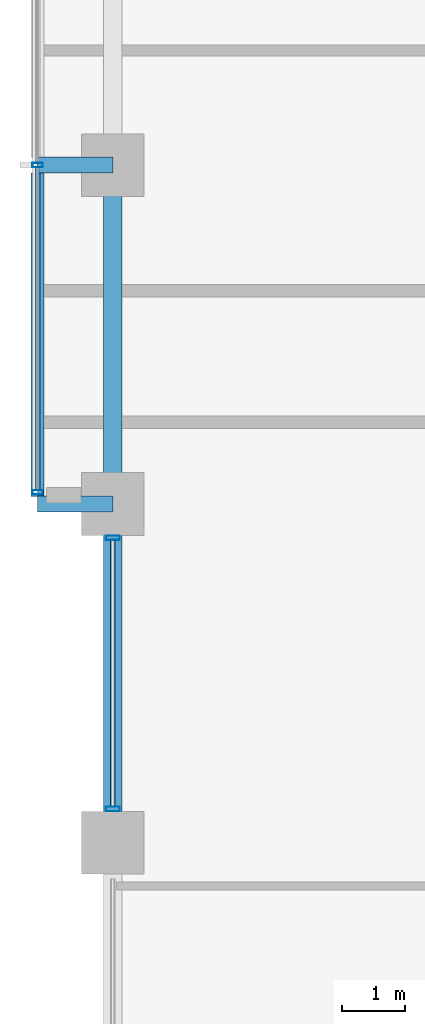
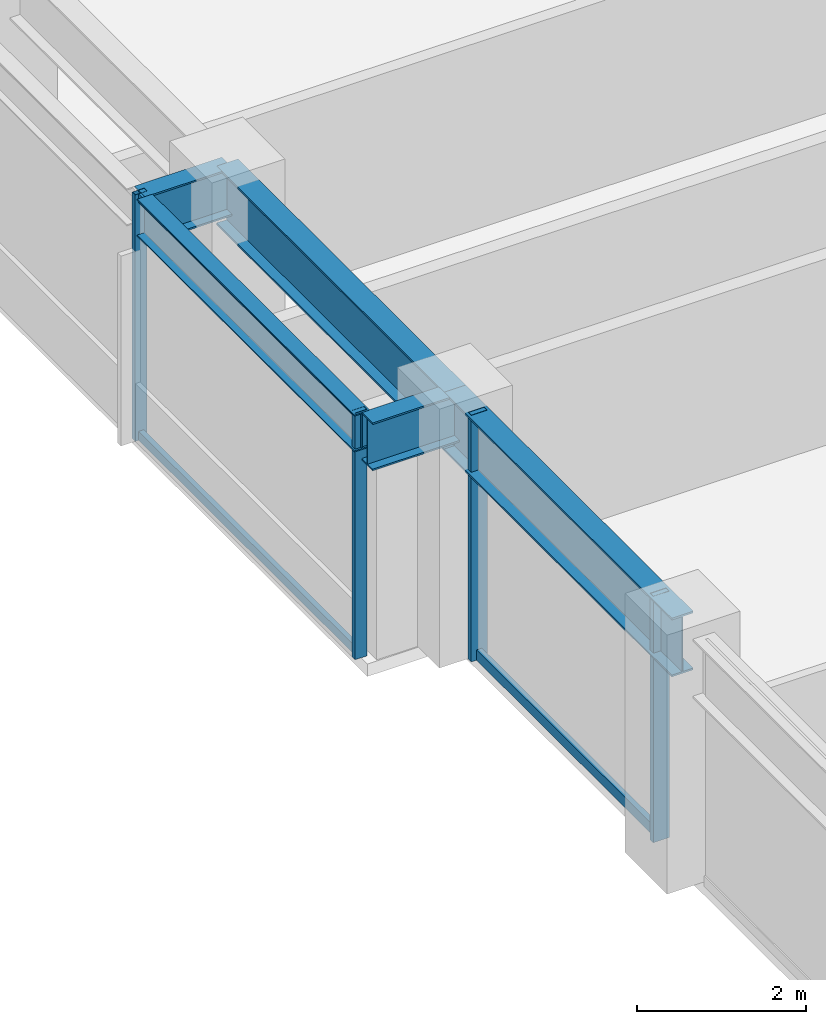
# One storey, part 6 of 26: 7 members, 5 beams, 2 elements without a shape of their own.
"""IFC4 building model written with IfcOpenShell, lengths in metres."""

from ifc_helpers import new_model, si_unit, direction, frame, origin, origin_2d, place, context, subcontext, project, spatial, hollow_rectangle, i_section, extrude, material, layer, layer_set, material_profile, profile_set, type_object, element, aggregate, save


model = new_model("IFC4")

# Units and contexts
model_context = context("Model", 3, precision=1e-05, world=origin(), true_north=direction((0.0, 1.0)))
body_context = subcontext(model_context, "Body", "Model", "MODEL_VIEW")
ifc_project = project(units=[si_unit("LENGTHUNIT", "METRE"), si_unit("AREAUNIT", "SQUARE_METRE"), si_unit("VOLUMEUNIT", "CUBIC_METRE"), si_unit("PLANEANGLEUNIT", "RADIAN"), si_unit("MASSUNIT", "GRAM", prefix="KILO")], contexts=[model_context])

# Site, building, storey
site_placement = place(None, origin())
site = spatial("IfcSite", under=ifc_project, at=site_placement, CompositionType="ELEMENT")
building_placement = place(site_placement, origin())
building = spatial("IfcBuilding", under=site, at=building_placement, Name="Surkhivell Harbour Commons", CompositionType="ELEMENT")
storey_placement = place(building_placement, frame((0.0, 0.0, 143.25)))
storey = spatial("IfcBuildingStorey", under=building, at=storey_placement, Name="L37", CompositionType="ELEMENT", Elevation=143.25)

# Beams
ifc_material_1 = material(Name="Steel S460", Category="steel")
ifc_material_profile_1 = material_profile(ifc_material_1, i_section(OverallWidth=0.256103515625, OverallDepth=0.693115234375, WebThickness=0.014404296875, FlangeThickness=0.023681640625, at=origin_2d()), Name="UB686x254x170")
ifc_profile_set_1 = profile_set([ifc_material_profile_1], Name="Steel S460")
beam_type_1 = type_object("IfcBeamType", Name="BM-CNT-686", PredefinedType="BEAM", material=ifc_profile_set_1)
for number, where, z_axis, x_axis, name in (
    (1, (-32.39990234375, 0.0, 3.223388671875), (-1.0, 0.0, 0.0), (0.0, -1.0, 0.0), "L37 Box Cantilever Outrigger (-32.4,0.0)"),
    (2, (-32.39990234375, 5.39990234375, 3.223388671875), (-1.0, 0.0, 0.0), (0.0, -1.0, 0.0), "L37 Box Cantilever Outrigger (-32.4,5.4)"),
):
    element("IfcBeam", number, at=place(storey_placement, frame(where, z_axis=z_axis, x_axis=x_axis)), inside=storey, type_object=beam_type_1, Name=name, PredefinedType="BEAM", context=body_context, shape_type="SweptSolid", body=[
        extrude(i_section(OverallWidth=0.256103515625, OverallDepth=0.693115234375, WebThickness=0.014404296875, FlangeThickness=0.023681640625, at=origin_2d()), origin(), (0.0, 0.0, 1.0), 1.2001953125),
    ])
ifc_material_2 = material(Name="Steel S355", Category="steel")
ifc_material_profile_2 = material_profile(ifc_material_2, i_section(OverallWidth=0.2099609375, OverallDepth=0.537109375, WebThickness=0.0107421875, FlangeThickness=0.017333984375, at=origin_2d()), Name="UB533x210x101")
ifc_profile_set_2 = profile_set([ifc_material_profile_2], Name="Steel S355")
beam_type_2 = type_object("IfcBeamType", Name="BM-GRD-533B", PredefinedType="BEAM", material=ifc_profile_set_2)
beam_placement = place(storey_placement, frame((-33.60009765625, 0.1220703125, 3.301513671875), z_axis=(0.0, 1.0, 0.0), x_axis=(-1.0, 0.0, 0.0)))
element("IfcBeam", 3, at=beam_placement, inside=storey, type_object=beam_type_2, Name="L37 Box Rim Spandrel (-33.6,0.0)", PredefinedType="BEAM", context=body_context, shape_type="SweptSolid", body=[
    extrude(i_section(OverallWidth=0.2099609375, OverallDepth=0.537109375, WebThickness=0.0107421875, FlangeThickness=0.017333984375, at=origin_2d()), origin(), (0.0, 0.0, 1.0), 5.156005859375),
])
ifc_material_profile_3 = material_profile(ifc_material_1, i_section(OverallWidth=0.2939453125, OverallDepth=0.85107421875, WebThickness=0.01611328125, FlangeThickness=0.02685546875, at=origin_2d()), Name="UB838x292x226")
ifc_profile_set_3 = profile_set([ifc_material_profile_3], Name="Steel S460")
beam_type_3 = type_object("IfcBeamType", Name="BM-SPN-838", PredefinedType="SPANDREL", material=ifc_profile_set_3)
for number, where, z_axis, x_axis, name in (
    (4, (-32.39990234375, -5.39990234375, 3.14453125), (0.0, 1.0, 0.0), (-1.0, 0.0, 0.0), "L37 Tube Spandrel (-32.4,-5.4)"),
    (5, (-32.39990234375, 0.0, 3.14453125), (0.0, 1.0, 0.0), (-1.0, 0.0, 0.0), "L37 Tube Spandrel (-32.4,0.0)"),
):
    element("IfcBeam", number, at=place(storey_placement, frame(where, z_axis=z_axis, x_axis=x_axis)), inside=storey, type_object=beam_type_3, Name=name, PredefinedType="SPANDREL", context=body_context, shape_type="SweptSolid", body=[
        extrude(i_section(OverallWidth=0.2939453125, OverallDepth=0.85107421875, WebThickness=0.01611328125, FlangeThickness=0.02685546875, at=origin_2d()), origin(), (0.0, 0.0, 1.0), 5.39990234375),
    ])

# Curtain wall, members
ifc_material_3 = material(Name="Anodised pale-metal aluminium and insulated glazing", Category="aluminium")
ifc_layer_1 = layer(ifc_material_3, 0.1650390625)
ifc_layer_set_1 = layer_set([ifc_layer_1], Name="Anodised pale-metal aluminium and insulated glazing")
curtain_wall_type_1 = type_object("IfcCurtainWallType", Name="CW-SYS-BOX", PredefinedType="NOTDEFINED", material=ifc_layer_set_1)
curtain_wall_1_placement = place(storey_placement, origin())
curtain_wall_1 = element("IfcCurtainWall", 6, at=curtain_wall_1_placement, inside=storey, type_object=curtain_wall_type_1, Name="L37 Curtain Wall CW-L37-BOX02", PredefinedType="NOTDEFINED")
ifc_material_4 = material(Name="Champagne anodised aluminium alloy 6063-T6", Category="aluminium")
ifc_material_profile_4 = material_profile(ifc_material_4, hollow_rectangle(XDim=0.070068359375, YDim=0.1650390625, WallThickness=0.00341796875, at=origin_2d()), Name="ALU-MULL-70x165")
ifc_profile_set_4 = profile_set([ifc_material_profile_4], Name="Champagne anodised aluminium alloy 6063-T6")
member_type_1 = type_object("IfcMemberType", Name="CWM-165", PredefinedType="MULLION", material=ifc_profile_set_4)
member_1_placement = place(storey_placement, frame((-33.60009765625, 0.18505859375, 0.0), z_axis=(0.0, 0.0, 1.0), x_axis=(0.0, 1.0, 0.0)))
member_1 = element("IfcMember", 7, at=member_1_placement, type_object=member_type_1, Name="CW-BOX mullion 1", PredefinedType="MULLION", context=body_context, shape_type="SweptSolid", body=[
    extrude(hollow_rectangle(XDim=0.070068359375, YDim=0.1650390625, WallThickness=0.00341796875, at=origin_2d()), origin(), (0.0, 0.0, 1.0), 3.570068359375),
])
member_2_placement = place(storey_placement, frame((-33.60009765625, 5.39990234375, 0.0), z_axis=(0.0, 0.0, 1.0), x_axis=(0.0, 1.0, 0.0)))
member_2 = element("IfcMember", 8, at=member_2_placement, type_object=member_type_1, Name="CW-BOX mullion 2", PredefinedType="MULLION", context=body_context, shape_type="SweptSolid", body=[
    extrude(hollow_rectangle(XDim=0.070068359375, YDim=0.1650390625, WallThickness=0.00341796875, at=origin_2d()), origin(), (0.0, 0.0, 1.0), 3.570068359375),
])

ifc_layer_2 = layer(ifc_material_3, 0.205078125)
ifc_layer_set_2 = layer_set([ifc_layer_2], Name="Anodised pale-metal aluminium and insulated glazing")
curtain_wall_type_2 = type_object("IfcCurtainWallType", Name="CW-SYS-Z2", PredefinedType="NOTDEFINED", material=ifc_layer_set_2)
curtain_wall_2_placement = place(storey_placement, origin())
curtain_wall_2 = element("IfcCurtainWall", 9, at=curtain_wall_2_placement, inside=storey, type_object=curtain_wall_type_2, Name="L37 Curtain Wall CW-L37-E12R1S2", PredefinedType="NOTDEFINED")
ifc_material_5 = material(Name="Anodised pale-metal aluminium alloy 6063-T6", Category="aluminium")
ifc_material_profile_5 = material_profile(ifc_material_5, hollow_rectangle(XDim=0.074951171875, YDim=0.219970703125, WallThickness=0.00390625, at=origin_2d()), Name="ALU-MULL-75x220")
ifc_profile_set_5 = profile_set([ifc_material_profile_5], Name="Anodised pale-metal aluminium alloy 6063-T6")
member_type_2 = type_object("IfcMemberType", Name="CWM-220", PredefinedType="MULLION", material=ifc_profile_set_5)
member_3_placement = place(storey_placement, frame((-32.39990234375, -4.860595703125, 0.0), z_axis=(0.0, 0.0, 1.0), x_axis=(0.0, 1.0, 0.0)))
member_3 = element("IfcMember", 10, at=member_3_placement, type_object=member_type_2, Name="CW-Z2 mullion 2", PredefinedType="MULLION", context=body_context, shape_type="SweptSolid", body=[
    extrude(hollow_rectangle(XDim=0.074951171875, YDim=0.219970703125, WallThickness=0.00390625, at=origin_2d()), origin(), (0.0, 0.0, 1.0), 3.570068359375),
])
member_4_placement = place(storey_placement, frame((-32.39990234375, -0.53955078125, 0.0), z_axis=(0.0, 0.0, 1.0), x_axis=(0.0, 1.0, 0.0)))
member_4 = element("IfcMember", 11, at=member_4_placement, type_object=member_type_2, Name="CW-Z2 mullion 3", PredefinedType="MULLION", context=body_context, shape_type="SweptSolid", body=[
    extrude(hollow_rectangle(XDim=0.074951171875, YDim=0.219970703125, WallThickness=0.00390625, at=origin_2d()), origin(), (0.0, 0.0, 1.0), 3.570068359375),
])

# Member
ifc_material_profile_6 = material_profile(ifc_material_4, hollow_rectangle(XDim=0.070068359375, YDim=0.1298828125, WallThickness=0.00341796875, at=origin_2d()), Name="ALU-TRAN-70x130")
ifc_profile_set_6 = profile_set([ifc_material_profile_6], Name="Champagne anodised aluminium alloy 6063-T6")
member_type_3 = type_object("IfcMemberType", Name="CWT-130", PredefinedType="USERDEFINED", material=ifc_profile_set_6)
member_5_placement = place(storey_placement, frame((-33.60009765625, 0.219970703125, 0.06494140625), z_axis=(0.0, 1.0, 0.0), x_axis=(-1.0, 0.0, 0.0)))
member_5 = element("IfcMember", 12, at=member_5_placement, type_object=member_type_3, Name="CW-BOX transom 1.1", ObjectType="TRANSOM", PredefinedType="USERDEFINED", context=body_context, shape_type="SweptSolid", body=[
    extrude(hollow_rectangle(XDim=0.070068359375, YDim=0.1298828125, WallThickness=0.00341796875, at=origin_2d()), origin(), (0.0, 0.0, 1.0), 5.14501953125),
])

member_6_placement = place(storey_placement, frame((-33.60009765625, 0.219970703125, 3.5048828125), z_axis=(0.0, 1.0, 0.0), x_axis=(-1.0, 0.0, 0.0)))
member_6 = element("IfcMember", 13, at=member_6_placement, type_object=member_type_3, Name="CW-BOX transom 1.2", ObjectType="TRANSOM", PredefinedType="USERDEFINED", context=body_context, shape_type="SweptSolid", body=[
    extrude(hollow_rectangle(XDim=0.070068359375, YDim=0.1298828125, WallThickness=0.00341796875, at=origin_2d()), origin(), (0.0, 0.0, 1.0), 5.14501953125),
])

aggregate(curtain_wall_1, [member_1, member_2, member_5, member_6])

ifc_material_profile_7 = material_profile(ifc_material_5, hollow_rectangle(XDim=0.074951171875, YDim=0.14990234375, WallThickness=0.00341796875, at=origin_2d()), Name="ALU-TRAN-75x150")
ifc_profile_set_7 = profile_set([ifc_material_profile_7], Name="Anodised pale-metal aluminium alloy 6063-T6")
member_type_4 = type_object("IfcMemberType", Name="CWT-150", PredefinedType="USERDEFINED", material=ifc_profile_set_7)
member_7_placement = place(storey_placement, frame((-32.39990234375, -4.822998046875, 0.074951171875), z_axis=(0.0, 1.0, 0.0), x_axis=(-1.0, 0.0, 0.0)))
member_7 = element("IfcMember", 14, at=member_7_placement, type_object=member_type_4, Name="CW-Z2 transom 2.1", ObjectType="TRANSOM", PredefinedType="USERDEFINED", context=body_context, shape_type="SweptSolid", body=[
    extrude(hollow_rectangle(XDim=0.074951171875, YDim=0.14990234375, WallThickness=0.00341796875, at=origin_2d()), origin(), (0.0, 0.0, 1.0), 4.24609375),
])

aggregate(curtain_wall_2, [member_3, member_4, member_7])

save(model, "model.ifc")
